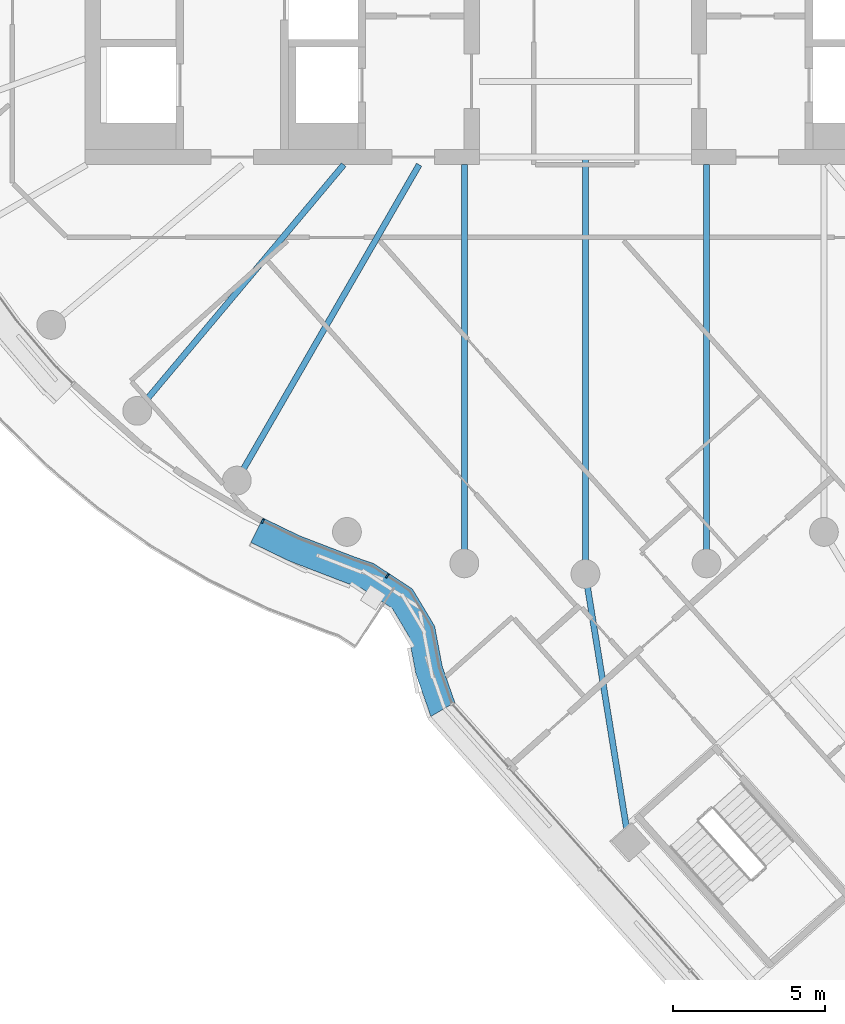
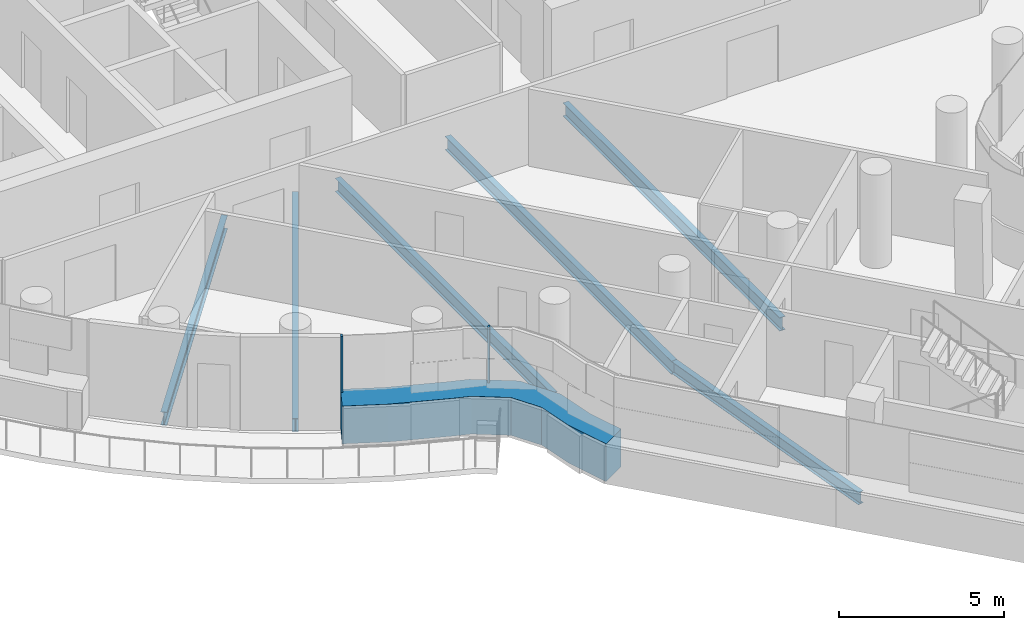
# One storey, part 6 of 33: 6 beams, 3 members, 1 element without a shape of its own.
"""IFC4 building model written with IfcOpenShell, lengths in metres."""

from ifc_helpers import new_model, si_unit, direction, frame, origin, origin_2d, place, context, subcontext, project, spatial, polyline, rectangle, i_section, outline, extrude, material, layer, layer_set, material_profile, profile_set, type_object, element, aggregate, save


model = new_model("IFC4")

# Units and contexts
model_context = context("Model", 3, precision=1e-05, world=origin(), true_north=direction((0.0, 1.0)))
body_context = subcontext(model_context, "Body", "Model", "MODEL_VIEW")
ifc_project = project(units=[si_unit("LENGTHUNIT", "METRE"), si_unit("AREAUNIT", "SQUARE_METRE"), si_unit("VOLUMEUNIT", "CUBIC_METRE"), si_unit("PLANEANGLEUNIT", "RADIAN"), si_unit("MASSUNIT", "GRAM", prefix="KILO")], contexts=[model_context])

# Site, building, storey
site_placement = place(None, origin())
site = spatial("IfcSite", under=ifc_project, at=site_placement, CompositionType="ELEMENT")
building_placement = place(site_placement, origin())
building = spatial("IfcBuilding", under=site, at=building_placement, Name="Tamarind Cross Interchange Tower", CompositionType="ELEMENT")
storey_placement = place(building_placement, frame((0.0, 0.0, 186.10009765625)))
storey = spatial("IfcBuildingStorey", under=building, at=storey_placement, Name="L46", CompositionType="ELEMENT", Elevation=186.10009765625)

# Beams
ifc_material_1 = material(Name="Steel Q355B", Category="steel")
ifc_material_profile_1 = material_profile(ifc_material_1, i_section(OverallWidth=0.198974609375, OverallDepth=0.446044921875, WebThickness=0.008056640625, FlangeThickness=0.011962890625, FilletRadius=0.012939453125, at=origin_2d()), Name="HN 446x199x8x12")
ifc_profile_set_1 = profile_set([ifc_material_profile_1], Name="Steel Q355B")
beam_type_1 = type_object("IfcBeamType", Name="Composite beam HN 446x199x8x12 Q355B", PredefinedType="BEAM", material=ifc_profile_set_1)
beam_1_placement = place(storey_placement, frame((1.4306640625, -31.853515625, -0.363037109375), z_axis=(-0.15952343028, 0.987194142604, 0.0), x_axis=(-0.987194142604, -0.15952343028, 0.0)))
element("IfcBeam", 1, at=beam_1_placement, inside=storey, type_object=beam_type_1, Name="Beam S-linkem", PredefinedType="BEAM", context=body_context, shape_type="SweptSolid", body=[
    extrude(i_section(OverallWidth=0.198974609375, OverallDepth=0.446044921875, WebThickness=0.008056640625, FlangeThickness=0.011962890625, FilletRadius=0.012939453125, at=origin_2d()), origin(), (0.0, 0.0, 1.0), 8.96826171875),
])
ifc_material_profile_2 = material_profile(ifc_material_1, i_section(OverallWidth=0.198974609375, OverallDepth=0.49609375, WebThickness=0.009033203125, FlangeThickness=0.013916015625, FilletRadius=0.012939453125, at=origin_2d()), Name="HN 496x199x9x14")
ifc_profile_set_2 = profile_set([ifc_material_profile_2], Name="Steel Q355B")
beam_type_2 = type_object("IfcBeamType", Name="Composite beam HN 496x199x9x14 Q355B", PredefinedType="BEAM", material=ifc_profile_set_2)
beam_2_placement = place(storey_placement, frame((-14.7841796875, -17.619140625, -0.38818359375), z_axis=(0.642786293979, 0.766045547127, 0.0), x_axis=(-0.766045547127, 0.642786293979, 0.0)))
element("IfcBeam", 2, at=beam_2_placement, inside=storey, type_object=beam_type_2, Name="Beam HH23", PredefinedType="BEAM", context=body_context, shape_type="SweptSolid", body=[
    extrude(i_section(OverallWidth=0.198974609375, OverallDepth=0.49609375, WebThickness=0.009033203125, FlangeThickness=0.013916015625, FilletRadius=0.012939453125, at=origin_2d()), origin(), (0.0, 0.0, 1.0), 10.598876953125),
])
beam_3_placement = place(storey_placement, frame((-11.5, -19.918701171875, -0.38818359375), z_axis=(0.499993565836, 0.866029118519, 0.0), x_axis=(-0.866029118519, 0.499993565836, 0.0)))
element("IfcBeam", 3, at=beam_3_placement, inside=storey, type_object=beam_type_2, Name="Beam HH24", PredefinedType="BEAM", context=body_context, shape_type="SweptSolid", body=[
    extrude(i_section(OverallWidth=0.198974609375, OverallDepth=0.49609375, WebThickness=0.009033203125, FlangeThickness=0.013916015625, FilletRadius=0.012939453125, at=origin_2d()), origin(), (0.0, 0.0, 1.0), 12.030517578125),
])
beam_4_placement = place(storey_placement, frame((-3.993896484375, -22.650634765625, -0.38818359375), z_axis=(0.0, 1.0, 0.0), x_axis=(-1.0, 0.0, 0.0)))
element("IfcBeam", 4, at=beam_4_placement, inside=storey, type_object=beam_type_2, Name="Beam HH26", PredefinedType="BEAM", context=body_context, shape_type="SweptSolid", body=[
    extrude(i_section(OverallWidth=0.198974609375, OverallDepth=0.49609375, WebThickness=0.009033203125, FlangeThickness=0.013916015625, FilletRadius=0.012939453125, at=origin_2d()), origin(), (0.0, 0.0, 1.0), 13.150634765625),
])
beam_5_placement = place(storey_placement, frame((0.0, -23.0, -0.38818359375), z_axis=(0.0, 1.0, 0.0), x_axis=(-1.0, 0.0, 0.0)))
element("IfcBeam", 5, at=beam_5_placement, inside=storey, type_object=beam_type_2, Name="Beam HH27", PredefinedType="BEAM", context=body_context, shape_type="SweptSolid", body=[
    extrude(i_section(OverallWidth=0.198974609375, OverallDepth=0.49609375, WebThickness=0.009033203125, FlangeThickness=0.013916015625, FilletRadius=0.012939453125, at=origin_2d()), origin(), (0.0, 0.0, 1.0), 13.75),
])
beam_6_placement = place(storey_placement, frame((3.993896484375, -22.650634765625, -0.38818359375), z_axis=(0.0, 1.0, 0.0), x_axis=(-1.0, 0.0, 0.0)))
element("IfcBeam", 6, at=beam_6_placement, inside=storey, type_object=beam_type_2, Name="Beam HH28", PredefinedType="BEAM", context=body_context, shape_type="SweptSolid", body=[
    extrude(i_section(OverallWidth=0.198974609375, OverallDepth=0.49609375, WebThickness=0.009033203125, FlangeThickness=0.013916015625, FilletRadius=0.012939453125, at=origin_2d()), origin(), (0.0, 0.0, 1.0), 13.150634765625),
])

# Curtain wall, members
ifc_material_2 = material(Name="Aluminium 6063-T6", Category="aluminium")
ifc_layer = layer(ifc_material_2, 0.139892578125)
ifc_layer_set = layer_set([ifc_layer], Name="Aluminium 6063-T6")
curtain_wall_type = type_object("IfcCurtainWallType", Name="Hotel curtain wall, 4.5 m bays", PredefinedType="NOTDEFINED", material=ifc_layer_set)
curtain_wall_placement = place(storey_placement, origin())
curtain_wall = element("IfcCurtainWall", 7, at=curtain_wall_placement, inside=storey, type_object=curtain_wall_type, Name="CWS-L46-02", PredefinedType="NOTDEFINED")
ifc_material_3 = material(Name="Aluminium and insulated spandrel panel", Category="aluminium")
member_type_1 = type_object("IfcMemberType", Name="Floor-edge blade transom", PredefinedType="USERDEFINED", material=ifc_material_3)
member_1_placement = place(storey_placement, origin())
member_1 = element("IfcMember", 8, at=member_1_placement, type_object=member_type_1, Name="CWT-L46-02-1", ObjectType="TRANSOM", PredefinedType="USERDEFINED", context=body_context, shape_type="SweptSolid", body=[
    extrude(outline(polyline([(-10.633544921875, -21.15625), (-9.425048828125, -21.74072265625), (-7.59130859375, -22.447021484375), (-6.983642578125, -22.655029296875), (-5.706787109375, -23.4921875), (-4.972900390625, -24.7197265625), (-4.7197265625, -26.056396484375), (-4.30712890625, -27.235107421875), (-5.097412109375, -27.701416015625), (-5.59130859375, -26.290283203125), (-5.827392578125, -25.04443359375), (-6.373291015625, -24.13134765625), (-7.38232421875, -23.469970703125), (-7.89892578125, -23.29296875), (-9.783203125, -22.567138671875), (-11.037841796875, -21.96044921875), (-10.633544921875, -21.15625)])), origin(), (0.0, 0.0, 1.0), 1.39990234375),
])
ifc_material_profile_3 = material_profile(ifc_material_2, rectangle(XDim=0.06005859375, YDim=0.139892578125, at=origin_2d()), Name="Mullion CW2")
ifc_profile_set_3 = profile_set([ifc_material_profile_3], Name="Aluminium 6063-T6")
member_type_2 = type_object("IfcMemberType", Name="Mullion CW2", PredefinedType="MULLION", material=ifc_profile_set_3)
member_2_placement = place(storey_placement, frame((-10.651611328125, -21.258544921875, 1.39990234375), z_axis=(0.0, 0.0, 1.0), x_axis=(0.900272776334, -0.435326231914, 0.0)))
member_2 = element("IfcMember", 9, at=member_2_placement, type_object=member_type_2, Name="CWM-L46-02-03", PredefinedType="MULLION", context=body_context, shape_type="SweptSolid", body=[
    extrude(rectangle(XDim=0.06005859375, YDim=0.139892578125, at=origin_2d()), origin(), (0.0, 0.0, 1.0), 2.06005859375),
])
member_3_placement = place(storey_placement, frame((-6.539306640625, -23.06591796875, 1.39990234375), z_axis=(0.0, 0.0, 1.0), x_axis=(0.83630937517, -0.548257812532, 0.0)))
member_3 = element("IfcMember", 10, at=member_3_placement, type_object=member_type_2, Name="CWM-L46-02-04", PredefinedType="MULLION", context=body_context, shape_type="SweptSolid", body=[
    extrude(rectangle(XDim=0.06005859375, YDim=0.139892578125, at=origin_2d()), origin(), (0.0, 0.0, 1.0), 2.06005859375),
])
aggregate(curtain_wall, [member_2, member_3, member_1])

save(model, "model.ifc")
